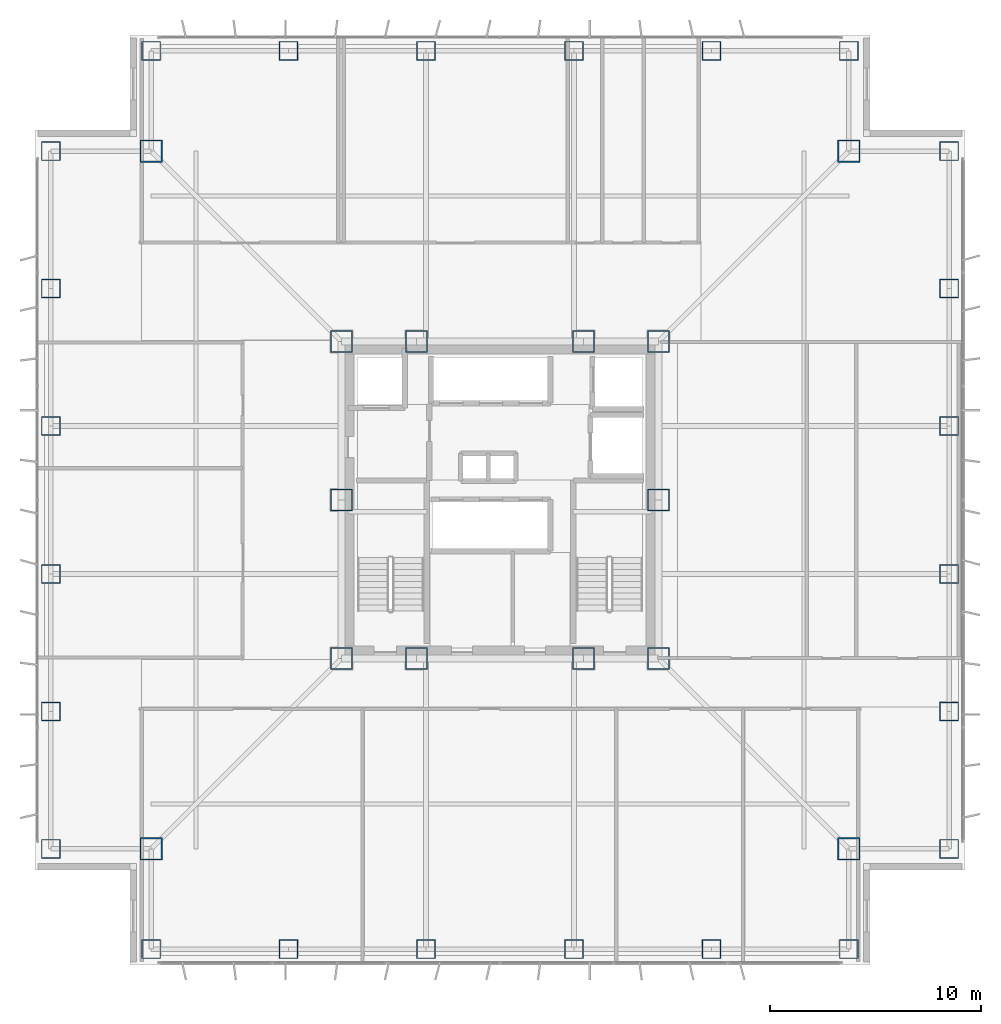
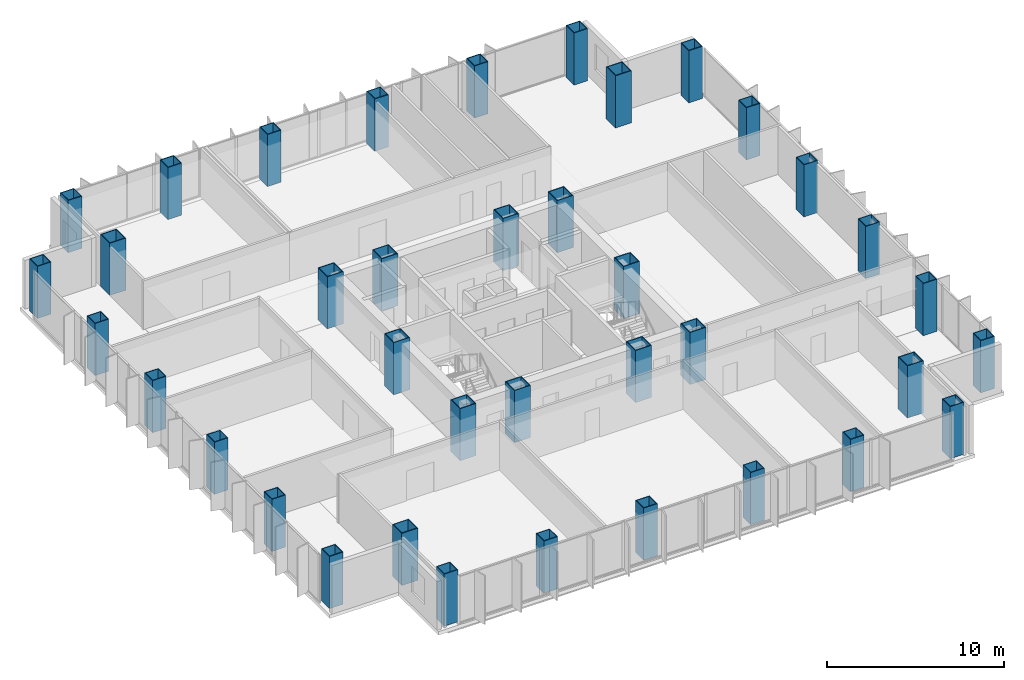
# One storey, part 1 of 17: 38 columns.
"""IFC4 building model written with IfcOpenShell, lengths in metres."""

from ifc_helpers import new_model, si_unit, direction, frame, origin, origin_2d, place, context, subcontext, project, spatial, hollow_rectangle, extrude, material, material_profile, profile_set, type_object, element, save


model = new_model("IFC4")

# Units and contexts
model_context = context("Model", 3, precision=1e-05, world=origin(), true_north=direction((0.0, 1.0)))
body_context = subcontext(model_context, "Body", "Model", "MODEL_VIEW")
ifc_project = project(units=[si_unit("LENGTHUNIT", "METRE"), si_unit("AREAUNIT", "SQUARE_METRE"), si_unit("VOLUMEUNIT", "CUBIC_METRE"), si_unit("PLANEANGLEUNIT", "RADIAN"), si_unit("MASSUNIT", "GRAM", prefix="KILO")], contexts=[model_context])

# Site, building, storey
site_placement = place(None, origin())
site = spatial("IfcSite", under=ifc_project, at=site_placement, CompositionType="ELEMENT")
building_placement = place(site_placement, origin())
building = spatial("IfcBuilding", under=site, at=building_placement, Name="Trevonay Congress Spire", CompositionType="ELEMENT")
storey_placement = place(building_placement, frame((0.0, 0.0, 126.39990234375)))
storey = spatial("IfcBuildingStorey", under=building, at=storey_placement, Name="L32", CompositionType="ELEMENT", Elevation=126.39990234375)

# Columns
ifc_material = material(Name="Steel ASTM A572 Grade 50", Category="steel")
ifc_material_profile_1 = material_profile(ifc_material, hollow_rectangle(XDim=1.050048828125, YDim=1.050048828125, WallThickness=0.050048828125, at=origin_2d()), Name="BOX 1050x1050x50")
ifc_profile_set_1 = profile_set([ifc_material_profile_1], Name="Steel ASTM A572 Grade 50")
column_type_1 = type_object("IfcColumnType", Name="COL-CORE-BOX1050", PredefinedType="COLUMN", material=ifc_profile_set_1)
for number, where, z_axis, x_axis, name in (
    (1, (-7.5, -7.5, 0.0), (0.0, 0.0, 1.0), (1.0, 0.0, 0.0), "L32 column C03 at CC-SW"),
    (2, (-3.949951171875, -7.5, 0.0), (0.0, 0.0, 1.0), (1.0, 0.0, 0.0), "L32 column C03 at CC-SMW"),
    (3, (3.949951171875, -7.5, 0.0), (0.0, 0.0, 1.0), (1.0, 0.0, 0.0), "L32 column C03 at CC-SME"),
    (4, (7.5, -7.5, 0.0), (0.0, 0.0, 1.0), (1.0, 0.0, 0.0), "L32 column C03 at CC-SE"),
    (5, (7.5, 0.0, 0.0), (0.0, 0.0, 1.0), (1.0, 0.0, 0.0), "L32 column C03 at CC-E"),
    (6, (7.5, 7.5, 0.0), (0.0, 0.0, 1.0), (1.0, 0.0, 0.0), "L32 column C03 at CC-NE"),
    (7, (3.949951171875, 7.5, 0.0), (0.0, 0.0, 1.0), (1.0, 0.0, 0.0), "L32 column C03 at CC-NME"),
    (8, (-3.949951171875, 7.5, 0.0), (0.0, 0.0, 1.0), (1.0, 0.0, 0.0), "L32 column C03 at CC-NMW"),
    (9, (-7.5, 7.5, 0.0), (0.0, 0.0, 1.0), (1.0, 0.0, 0.0), "L32 column C03 at CC-NW"),
    (10, (-7.5, 0.0, 0.0), (0.0, 0.0, 1.0), (1.0, 0.0, 0.0), "L32 column C03 at CC-W"),
):
    element("IfcColumn", number, at=place(storey_placement, frame(where, z_axis=z_axis, x_axis=x_axis)), inside=storey, type_object=column_type_1, Name=name, PredefinedType="COLUMN", context=body_context, shape_type="SweptSolid", body=[
        extrude(hollow_rectangle(XDim=1.050048828125, YDim=1.050048828125, WallThickness=0.050048828125, at=origin_2d()), origin(), (0.0, 0.0, 1.0), 3.60009765625),
    ])
ifc_material_profile_2 = material_profile(ifc_material, hollow_rectangle(XDim=1.050048828125, YDim=1.050048828125, WallThickness=0.050048828125, at=origin_2d()), Name="BOX 1050x1050x50")
ifc_profile_set_2 = profile_set([ifc_material_profile_2], Name="Steel ASTM A572 Grade 50")
column_type_2 = type_object("IfcColumnType", Name="COL-TUBE-BOX1050", PredefinedType="COLUMN", material=ifc_profile_set_2)
for number, where, z_axis, x_axis, name in (
    (11, (-16.5, -16.5, 0.0), (0.0, 0.0, 1.0), (1.0, 0.0, 0.0), "L32 column C14 at NC-SW"),
    (12, (16.5, -16.5, 0.0), (0.0, 0.0, 1.0), (1.0, 0.0, 0.0), "L32 column C14 at NC-SE"),
    (13, (16.5, 16.5, 0.0), (0.0, 0.0, 1.0), (1.0, 0.0, 0.0), "L32 column C14 at NC-NE"),
    (14, (-16.5, 16.5, 0.0), (0.0, 0.0, 1.0), (1.0, 0.0, 0.0), "L32 column C14 at NC-NW"),
):
    element("IfcColumn", number, at=place(storey_placement, frame(where, z_axis=z_axis, x_axis=x_axis)), inside=storey, type_object=column_type_2, Name=name, PredefinedType="COLUMN", context=body_context, shape_type="SweptSolid", body=[
        extrude(hollow_rectangle(XDim=1.050048828125, YDim=1.050048828125, WallThickness=0.050048828125, at=origin_2d()), origin(), (0.0, 0.0, 1.0), 3.60009765625),
    ])
ifc_material_profile_3 = material_profile(ifc_material, hollow_rectangle(XDim=0.89990234375, YDim=0.89990234375, WallThickness=0.044921875, at=origin_2d()), Name="BOX 900x900x45")
ifc_profile_set_3 = profile_set([ifc_material_profile_3], Name="Steel ASTM A572 Grade 50")
column_type_3 = type_object("IfcColumnType", Name="COL-TUBE-BOX900", PredefinedType="COLUMN", material=ifc_profile_set_3)
for number, where, z_axis, x_axis, name in (
    (15, (-16.5, -21.25, 0.0), (0.0, 0.0, 1.0), (1.0, 0.0, 0.0), "L32 column C15 at TS-1"),
    (16, (-16.5, 21.25, 0.0), (0.0, 0.0, 1.0), (1.0, 0.0, 0.0), "L32 column C15 at TN-1"),
    (17, (-21.25, -16.5, 0.0), (0.0, 0.0, 1.0), (1.0, 0.0, 0.0), "L32 column C15 at TW-1"),
    (18, (21.25, -16.5, 0.0), (0.0, 0.0, 1.0), (1.0, 0.0, 0.0), "L32 column C15 at TE-1"),
    (19, (-10.0, -21.25, 0.0), (0.0, 0.0, 1.0), (1.0, 0.0, 0.0), "L32 column C15 at TS-2"),
    (20, (-10.0, 21.25, 0.0), (0.0, 0.0, 1.0), (1.0, 0.0, 0.0), "L32 column C15 at TN-2"),
    (21, (-21.25, -10.0, 0.0), (0.0, 0.0, 1.0), (1.0, 0.0, 0.0), "L32 column C15 at TW-2"),
    (22, (21.25, -10.0, 0.0), (0.0, 0.0, 1.0), (1.0, 0.0, 0.0), "L32 column C15 at TE-2"),
    (23, (-3.5, -21.25, 0.0), (0.0, 0.0, 1.0), (1.0, 0.0, 0.0), "L32 column C15 at TS-3"),
    (24, (-3.5, 21.25, 0.0), (0.0, 0.0, 1.0), (1.0, 0.0, 0.0), "L32 column C15 at TN-3"),
    (25, (-21.25, -3.5, 0.0), (0.0, 0.0, 1.0), (1.0, 0.0, 0.0), "L32 column C15 at TW-3"),
    (26, (21.25, -3.5, 0.0), (0.0, 0.0, 1.0), (1.0, 0.0, 0.0), "L32 column C15 at TE-3"),
    (27, (3.5, -21.25, 0.0), (0.0, 0.0, 1.0), (1.0, 0.0, 0.0), "L32 column C15 at TS-4"),
    (28, (3.5, 21.25, 0.0), (0.0, 0.0, 1.0), (1.0, 0.0, 0.0), "L32 column C15 at TN-4"),
    (29, (-21.25, 3.5, 0.0), (0.0, 0.0, 1.0), (1.0, 0.0, 0.0), "L32 column C15 at TW-4"),
    (30, (21.25, 3.5, 0.0), (0.0, 0.0, 1.0), (1.0, 0.0, 0.0), "L32 column C15 at TE-4"),
    (31, (10.0, -21.25, 0.0), (0.0, 0.0, 1.0), (1.0, 0.0, 0.0), "L32 column C15 at TS-5"),
    (32, (10.0, 21.25, 0.0), (0.0, 0.0, 1.0), (1.0, 0.0, 0.0), "L32 column C15 at TN-5"),
    (33, (-21.25, 10.0, 0.0), (0.0, 0.0, 1.0), (1.0, 0.0, 0.0), "L32 column C15 at TW-5"),
    (34, (21.25, 10.0, 0.0), (0.0, 0.0, 1.0), (1.0, 0.0, 0.0), "L32 column C15 at TE-5"),
    (35, (16.5, -21.25, 0.0), (0.0, 0.0, 1.0), (1.0, 0.0, 0.0), "L32 column C15 at TS-6"),
    (36, (16.5, 21.25, 0.0), (0.0, 0.0, 1.0), (1.0, 0.0, 0.0), "L32 column C15 at TN-6"),
    (37, (-21.25, 16.5, 0.0), (0.0, 0.0, 1.0), (1.0, 0.0, 0.0), "L32 column C15 at TW-6"),
    (38, (21.25, 16.5, 0.0), (0.0, 0.0, 1.0), (1.0, 0.0, 0.0), "L32 column C15 at TE-6"),
):
    element("IfcColumn", number, at=place(storey_placement, frame(where, z_axis=z_axis, x_axis=x_axis)), inside=storey, type_object=column_type_3, Name=name, PredefinedType="COLUMN", context=body_context, shape_type="SweptSolid", body=[
        extrude(hollow_rectangle(XDim=0.89990234375, YDim=0.89990234375, WallThickness=0.044921875, at=origin_2d()), origin(), (0.0, 0.0, 1.0), 3.60009765625),
    ])

save(model, "model.ifc")
